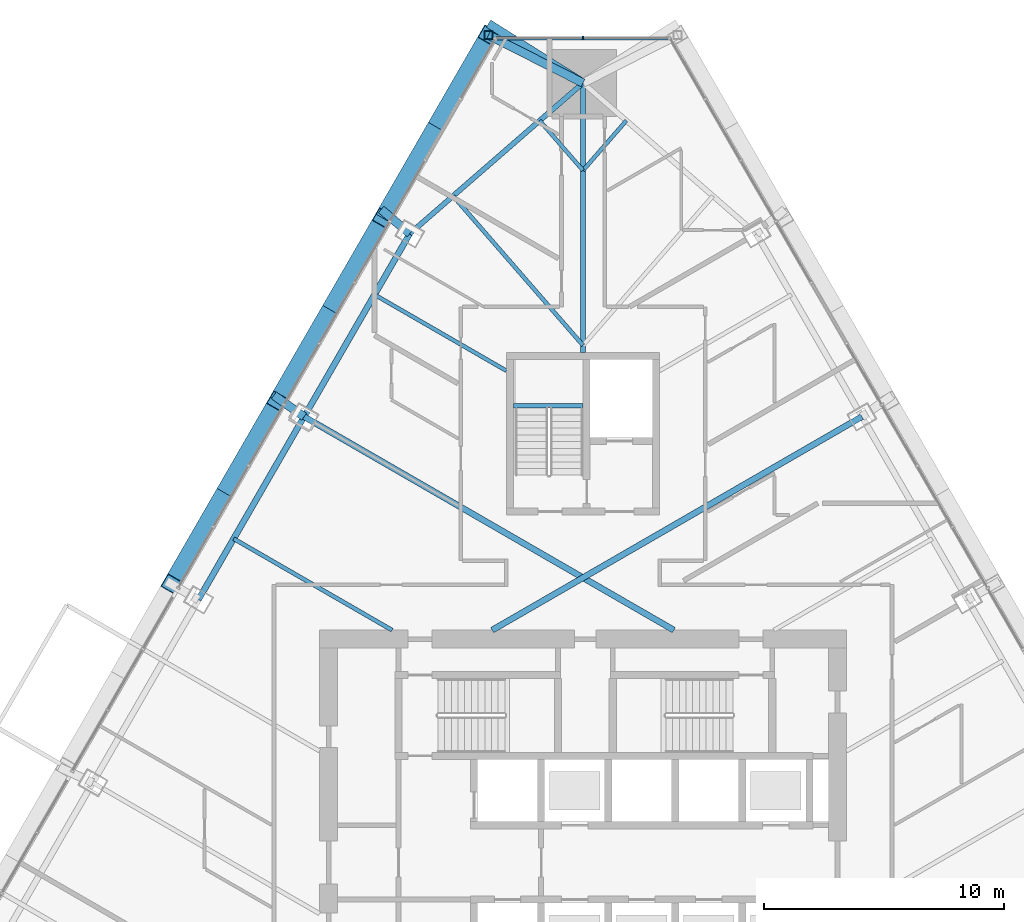
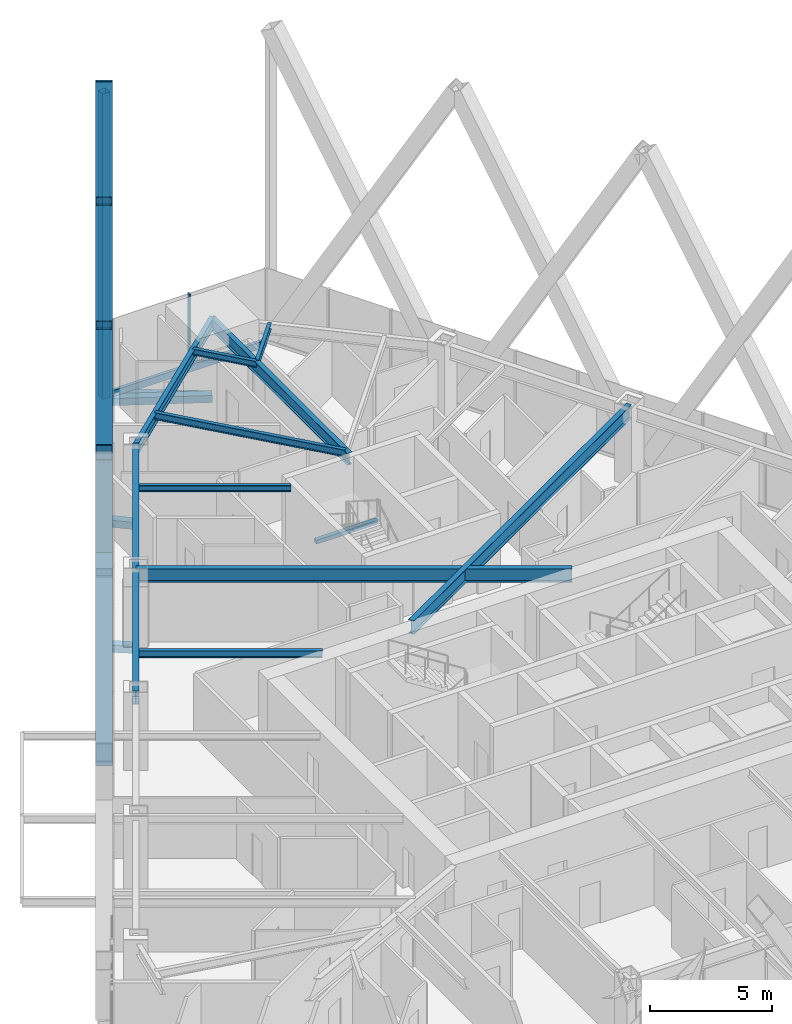
# One storey, part 8 of 19: 13 members, 11 beams, 1 element without a shape of its own.
"""IFC4 building model written with IfcOpenShell, lengths in metres."""

import ifcopenshell
import ifcopenshell.guid

model = None  # the IFC model being written
_history = None  # IfcOwnerHistory: only IFC2X3 demands one
_inside = {}  # id of a spatial element -> (the spatial element, [elements in it])
_under = {}  # id of a project, library or spatial element -> (it, [spatial elements below it])
_declared = {}  # id of a project -> (the project, [libraries it declares])
_typed = {}  # id of a type object -> (the type object, [elements of that type])
_made_of = {}  # id of a material, layer set ... -> (it, [elements and type objects made of it])


def new_model(schema):
    """Start an empty IFC model of exactly this schema.

    Asked for "IFC4X3", IfcOpenShell would pick the latest addendum, in which some entities
    have other attributes; the version numbers below select the first issue.
    IFC2X3 requires an IfcOwnerHistory on every rooted entity: one is made here for all.
    """
    global model, _history
    if schema == "IFC4X3":
        model = ifcopenshell.file(schema_version=(4, 3, 0, 0))
    else:
        model = ifcopenshell.file(schema=schema)
    _inside.clear()
    _under.clear()
    _declared.clear()
    _typed.clear()
    _made_of.clear()
    _history = None
    if model.schema == "IFC2X3":
        org = make("IfcOrganization", Name="unknown")
        user = make(
            "IfcPersonAndOrganization",
            ThePerson=make("IfcPerson", FamilyName="unknown"),
            TheOrganization=org,
        )
        app = make(
            "IfcApplication",
            ApplicationDeveloper=org,
            Version="unknown",
            ApplicationFullName="unknown",
            ApplicationIdentifier="unknown",
        )
        _history = make(
            "IfcOwnerHistory",
            OwningUser=user,
            OwningApplication=app,
            ChangeAction="ADDED",
            CreationDate=0,
        )
    return model


def make(cls, **values):
    """One entity of the class cls with the attributes given. An attribute that is None is left unset."""
    return model.create_entity(
        cls, **{name: value for name, value in values.items() if value is not None}
    )


def rooted(cls, **values):
    """An entity with a GlobalId (a new one), such as an element, a storey or a relation."""
    return make(cls, GlobalId=ifcopenshell.guid.new(), OwnerHistory=_history, **values)


def si_unit(unit_type, name, prefix=None):
    """IfcSIUnit, for example si_unit("LENGTHUNIT", "METRE", prefix="MILLI")."""
    return make("IfcSIUnit", UnitType=unit_type, Prefix=prefix, Name=name)


def assignment(units):
    """IfcUnitAssignment: the units of a project."""
    return None if units is None else make("IfcUnitAssignment", Units=units)


def point(xyz):
    """IfcCartesianPoint."""
    return None if xyz is None else make("IfcCartesianPoint", Coordinates=xyz)


def direction(xyz):
    """IfcDirection."""
    return None if xyz is None else make("IfcDirection", DirectionRatios=xyz)


def frame(location, z_axis=None, x_axis=None):
    """IfcAxis2Placement3D, a coordinate frame: its origin and axes. An axis left out is left unset."""
    return make(
        "IfcAxis2Placement3D",
        Location=point(location),
        Axis=direction(z_axis),
        RefDirection=direction(x_axis),
    )


def frame_2d(location, x_axis=None):
    """IfcAxis2Placement2D, a coordinate frame in the plane: its origin and x axis."""
    return make(
        "IfcAxis2Placement2D", Location=point(location), RefDirection=direction(x_axis)
    )


def origin():
    """The frame at (0, 0, 0) with its axes left unset."""
    return frame((0.0, 0.0, 0.0))


def origin_2d():
    """The frame at (0, 0) in the plane with its x axis left unset."""
    return frame_2d((0.0, 0.0))


def place(relative_to, where):
    """IfcLocalPlacement: puts the frame where relative to a parent placement (None: the world)."""
    return make(
        "IfcLocalPlacement", PlacementRelTo=relative_to, RelativePlacement=where
    )


def context(
    kind, dimensions, precision=None, world=None, true_north=None, identifier=None
):
    """IfcGeometricRepresentationContext, for example the 3D "Model" context."""
    return make(
        "IfcGeometricRepresentationContext",
        ContextIdentifier=identifier,
        ContextType=kind,
        CoordinateSpaceDimension=dimensions,
        Precision=precision,
        WorldCoordinateSystem=world,
        TrueNorth=true_north,
    )


def subcontext(parent, identifier, kind, view, scale=None):
    """IfcGeometricRepresentationSubContext, for example "Body" below "Model"."""
    return make(
        "IfcGeometricRepresentationSubContext",
        ContextIdentifier=identifier,
        ContextType=kind,
        ParentContext=parent,
        TargetScale=scale,
        TargetView=view,
    )


def project(units=None, contexts=None):
    """IfcProject with its units and contexts."""
    return rooted(
        "IfcProject",
        Name="project",
        RepresentationContexts=contexts,
        UnitsInContext=assignment(units),
    )


def spatial(cls, under=None, at=None, **own):
    """A site, building, storey or space (cls), placed at a placement, below another one or the project."""
    s = rooted(cls, ObjectPlacement=at, **own)
    if under is not None:
        _under.setdefault(under.id(), (under, []))[1].append(s)
    return s


def profile(cls, at=None, kind="AREA", **sizes):
    """A parametric profile (cls). Its sizes go by their IFC names, for example OverallWidth=200.0."""
    return make(cls, ProfileType=kind, Position=at, **sizes)


def rectangle(**sizes):
    """IfcRectangleProfileDef."""
    return profile("IfcRectangleProfileDef", **sizes)


def hollow_rectangle(**sizes):
    """IfcRectangleHollowProfileDef."""
    return profile("IfcRectangleHollowProfileDef", **sizes)


def i_section(**sizes):
    """IfcIShapeProfileDef."""
    return profile("IfcIShapeProfileDef", **sizes)


def extrude(swept, where, along, depth):
    """IfcExtrudedAreaSolid: the profile swept, set in the frame where, extruded along a direction by depth."""
    return make(
        "IfcExtrudedAreaSolid",
        SweptArea=swept,
        Position=where,
        ExtrudedDirection=direction(along),
        Depth=depth,
    )


def shape(context_of_items, identifier, shape_type, items):
    """IfcShapeRepresentation: the items that make up one representation, for example the "Body"."""
    return make(
        "IfcShapeRepresentation",
        ContextOfItems=context_of_items,
        RepresentationIdentifier=identifier,
        RepresentationType=shape_type,
        Items=items,
    )


def material(Name=None, Category=None):
    """IfcMaterial."""
    return make("IfcMaterial", Name=Name, Category=Category)


def layer(
    of_material, thickness, ventilated=None, Name=None, Category=None, Priority=None
):
    """IfcMaterialLayer: one layer of a wall or slab, of a material (None: an air gap)."""
    return make(
        "IfcMaterialLayer",
        Material=of_material,
        LayerThickness=thickness,
        IsVentilated=ventilated,
        Name=Name,
        Category=Category,
        Priority=Priority,
    )


def layer_set(layers, Name=None):
    """IfcMaterialLayerSet."""
    return make("IfcMaterialLayerSet", MaterialLayers=layers, LayerSetName=Name)


def material_profile(
    of_material, cross_section, Name=None, Category=None, Priority=None
):
    """IfcMaterialProfile: a cross section and its material."""
    return make(
        "IfcMaterialProfile",
        Name=Name,
        Material=of_material,
        Profile=cross_section,
        Priority=Priority,
        Category=Category,
    )


def profile_set(profiles, Name=None, composite=None):
    """IfcMaterialProfileSet."""
    return make(
        "IfcMaterialProfileSet",
        Name=Name,
        MaterialProfiles=profiles,
        CompositeProfile=composite,
    )


def made_of(thing, what):
    """Note that an element or type object is made of a material, layer set ...; save() writes the relation."""
    if what is not None:
        _made_of.setdefault(what.id(), (what, []))[1].append(thing)
    return thing


def type_object(cls, material=None, **own):
    """A type object (cls), such as IfcWallType, which elements share."""
    return made_of(rooted(cls, **own), material)


def element(
    cls,
    number,
    at=None,
    inside=None,
    cuts=None,
    type_object=None,
    material=None,
    context=None,
    identifier="Body",
    shape_type=None,
    held_by="IfcProductDefinitionShape",
    body=None,
    shapes=None,
    **own,
):
    """One element of the class cls, such as IfcWall. Its Tag is "e" and its number.

    at: its placement. inside: the storey or other place that contains it. cuts: it is an
    opening in that element (IfcRelVoidsElement). A single representation is given by context,
    identifier, shape_type and body (its items); several are given by shapes. held_by: the class
    of the entity that holds the representations. save() writes the other relations.
    """
    e = rooted(cls, Tag="e%d" % number, ObjectPlacement=at, **own)
    if body is not None:
        shapes = [shape(context, identifier, shape_type, body)]
    if shapes is not None:
        e.Representation = make(held_by, Representations=shapes)
    if inside is not None:
        _inside.setdefault(inside.id(), (inside, []))[1].append(e)
    if cuts is not None:
        rooted(
            "IfcRelVoidsElement", RelatingBuildingElement=cuts, RelatedOpeningElement=e
        )
    if type_object is not None:
        _typed.setdefault(type_object.id(), (type_object, []))[1].append(e)
    return made_of(e, material)


def aggregate(whole, parts):
    """IfcRelAggregates: a whole, such as a stair, and the parts it consists of."""
    return rooted("IfcRelAggregates", RelatingObject=whole, RelatedObjects=parts)


def save(model, path):
    """Write the relations noted so far, then the file.

    IfcRelAggregates (storeys below a building ...), IfcRelContainedInSpatialStructure (elements
    in a storey), IfcRelDefinesByType, IfcRelAssociatesMaterial and IfcRelDeclares: one each for
    every whole, place, type object, material and project.
    """
    for whole, parts in _under.values():
        aggregate(whole, parts)
    for where, things in _inside.values():
        rooted(
            "IfcRelContainedInSpatialStructure",
            RelatedElements=things,
            RelatingStructure=where,
        )
    for kind, things in _typed.values():
        rooted("IfcRelDefinesByType", RelatedObjects=things, RelatingType=kind)
    for what, things in _made_of.values():
        rooted("IfcRelAssociatesMaterial", RelatedObjects=things, RelatingMaterial=what)
    for by, libraries in _declared.values():
        rooted("IfcRelDeclares", RelatingContext=by, RelatedDefinitions=libraries)
    model.write(path)


model = new_model("IFC4")

# Units and contexts
model_context = context("Model", 3, precision=1e-05, world=origin(), true_north=direction((0.0, 1.0)))
body_context = subcontext(model_context, "Body", "Model", "MODEL_VIEW")
ifc_project = project(units=[si_unit("LENGTHUNIT", "METRE"), si_unit("AREAUNIT", "SQUARE_METRE"), si_unit("VOLUMEUNIT", "CUBIC_METRE"), si_unit("PLANEANGLEUNIT", "RADIAN"), si_unit("MASSUNIT", "GRAM", prefix="KILO")], contexts=[model_context])

# Site, building, storey
site_placement = place(None, origin())
site = spatial("IfcSite", under=ifc_project, at=site_placement, CompositionType="ELEMENT")
building_placement = place(site_placement, origin())
building = spatial("IfcBuilding", under=site, at=building_placement, Name="Firuza Gate Tower and Library", CompositionType="ELEMENT")
storey_placement = place(building_placement, frame((0.0, 0.0, 187.0)))
storey = spatial("IfcBuildingStorey", under=building, at=storey_placement, Name="L43", CompositionType="ELEMENT", Elevation=187.0)

# Members
ifc_material_1 = material(Name="Steel S355", Category="steel")
ifc_material_profile_1 = material_profile(ifc_material_1, hollow_rectangle(XDim=0.699951171875, YDim=0.699951171875, WallThickness=0.030029296875, at=origin_2d()))
ifc_profile_set_1 = profile_set([ifc_material_profile_1], Name="Steel S355")
member_type_1 = type_object("IfcMemberType", Name="BU700x700x30 Lattice brace", PredefinedType="BRACE", material=ifc_profile_set_1)
for number, where, z_axis, x_axis, name in (
    (1, (71.0537109375, 107.84521484375, 0.0), (-0.246174118604, -0.426363983638, 0.870409131837), (0.866014182773, -0.500019434859, 0.0), "Lattice brace W 10.1R"),
    (2, (66.6416015625, 100.20361328125, 0.0), (0.246174118604, 0.426363983638, 0.870409131837), (-0.866014182773, 0.500019434859, 0.0), "Lattice brace W 10.1L"),
):
    element("IfcMember", number, at=place(storey_placement, frame(where, z_axis=z_axis, x_axis=x_axis)), inside=storey, type_object=member_type_1, Name=name, PredefinedType="BRACE", context=body_context, shape_type="SweptSolid", body=[
        extrude(hollow_rectangle(XDim=0.699951171875, YDim=0.699951171875, WallThickness=0.030029296875, at=origin_2d()), origin(), (0.0, 0.0, 1.0), 17.922607421875),
    ])
for number, where, z_axis, x_axis, name in (
    (3, (66.6416015625, 100.20361328125, 0.0), (-0.246159892502, -0.426376558863, 0.870406995247), (0.866033080533, -0.499986703246, 0.0), "Lattice brace W 10.2R"),
    (4, (62.229736328125, 92.561767578125, 0.0), (0.246159892502, 0.426376558863, 0.870406995247), (-0.866033080533, 0.499986703246, 0.0), "Lattice brace W 10.2L"),
):
    element("IfcMember", number, at=place(storey_placement, frame(where, z_axis=z_axis, x_axis=x_axis)), inside=storey, type_object=member_type_1, Name=name, PredefinedType="BRACE", context=body_context, shape_type="SweptSolid", body=[
        extrude(hollow_rectangle(XDim=0.699951171875, YDim=0.699951171875, WallThickness=0.030029296875, at=origin_2d()), origin(), (0.0, 0.0, 1.0), 17.9228515625),
    ])
for number, where, z_axis, x_axis, name in (
    (5, (62.229736328125, 92.561767578125, 0.0), (-0.246161322195, -0.426365413352, 0.870412050556), (0.866026163676, -0.499998683827, 0.0), "Lattice brace W 10.3R"),
    (6, (57.81787109375, 84.920166015625, 0.0), (0.246161322195, 0.426365413352, 0.870412050556), (-0.866026163676, 0.499998683827, 0.0), "Lattice brace W 10.3L"),
):
    element("IfcMember", number, at=place(storey_placement, frame(where, z_axis=z_axis, x_axis=x_axis)), inside=storey, type_object=member_type_1, Name=name, PredefinedType="BRACE", context=body_context, shape_type="SweptSolid", body=[
        extrude(hollow_rectangle(XDim=0.699951171875, YDim=0.699951171875, WallThickness=0.030029296875, at=origin_2d()), origin(), (0.0, 0.0, 1.0), 17.922607421875),
    ])

# Curtain wall, members
ifc_material_2 = material(Name="Aluminium 6063-T6", Category="aluminium")
ifc_layer = layer(ifc_material_2, 0.14990234375)
ifc_layer_set = layer_set([ifc_layer], Name="Corner curtain wall, chamfers")
curtain_wall_type = type_object("IfcCurtainWallType", Name="Corner curtain wall, chamfers", PredefinedType="NOTDEFINED", material=ifc_layer_set)
curtain_wall_placement = place(storey_placement, origin())
curtain_wall = element("IfcCurtainWall", 7, at=curtain_wall_placement, inside=storey, type_object=curtain_wall_type, Name="CW4 L43 N corner", PredefinedType="NOTDEFINED")
ifc_material_3 = material(Name="Aluminium 6063-T6", Category="aluminium")
ifc_material_profile_2 = material_profile(ifc_material_3, rectangle(XDim=0.14990234375, YDim=0.080078125, at=origin_2d()))
ifc_profile_set_2 = profile_set([ifc_material_profile_2], Name="Aluminium 6063-T6")
member_type_2 = type_object("IfcMemberType", Name="Curtain wall mullion 80x150", PredefinedType="MULLION", material=ifc_profile_set_2)
member_1_placement = place(storey_placement, frame((75.0, 107.72021484375, 0.14990234375), z_axis=(0.0, 0.0, 1.0), x_axis=(0.0, -1.0, 0.0)))
member_1 = element("IfcMember", 8, at=member_1_placement, type_object=member_type_2, Name="Mullion", PredefinedType="MULLION", context=body_context, shape_type="SweptSolid", body=[
    extrude(rectangle(XDim=0.14990234375, YDim=0.080078125, at=origin_2d()), origin(), (0.0, 0.0, 1.0), 3.550048828125),
])
ifc_material_4 = material(Name="Aluminium 6063-T6", Category="aluminium")
ifc_material_profile_3 = material_profile(ifc_material_4, rectangle(XDim=0.14990234375, YDim=0.35009765625, at=origin_2d()))
ifc_profile_set_3 = profile_set([ifc_material_profile_3], Name="Aluminium 6063-T6")
member_type_3 = type_object("IfcMemberType", Name="Curtain wall transom 350x150", PredefinedType="USERDEFINED", material=ifc_profile_set_3)
member_2_placement = place(storey_placement, frame((78.643310546875, 107.72021484375, -0.02490234375), z_axis=(-1.0, 0.0, 0.0), x_axis=(0.0, -1.0, 0.0)))
member_2 = element("IfcMember", 9, at=member_2_placement, type_object=member_type_3, Name="Transom", ObjectType="TRANSOM", PredefinedType="USERDEFINED", context=body_context, shape_type="SweptSolid", body=[
    extrude(rectangle(XDim=0.14990234375, YDim=0.35009765625, at=origin_2d()), origin(), (0.0, 0.0, 1.0), 7.28662109375),
])
aggregate(curtain_wall, [member_1, member_2])

# Members
ifc_material_5 = material(Name="Steel S355", Category="steel")
ifc_material_profile_4 = material_profile(ifc_material_5, hollow_rectangle(XDim=0.355712890625, YDim=0.355712890625, WallThickness=0.014892578125, at=origin_2d()))
ifc_profile_set_4 = profile_set([ifc_material_profile_4], Name="Steel S355")
member_type_4 = type_object("IfcMemberType", Name="HSS356x356x16 Lattice corner stile", PredefinedType="BRACE", material=ifc_profile_set_4)
member_3_placement = place(storey_placement, frame((71.0537109375, 107.84521484375, -0.139892578125), z_axis=(0.0, 0.0, 1.0), x_axis=(1.0, 0.0, 0.0)))
element("IfcMember", 10, at=member_3_placement, inside=storey, type_object=member_type_4, Name="Lattice corner stile W 10.A", PredefinedType="BRACE", context=body_context, shape_type="SweptSolid", body=[
    extrude(hollow_rectangle(XDim=0.355712890625, YDim=0.355712890625, WallThickness=0.014892578125, at=origin_2d()), origin(), (0.0, 0.0, 1.0), 15.239990234375),
])
ifc_material_6 = material(Name="Steel S355", Category="steel")
ifc_material_profile_5 = material_profile(ifc_material_6, hollow_rectangle(XDim=0.355712890625, YDim=0.355712890625, WallThickness=0.014892578125, at=origin_2d()))
ifc_profile_set_5 = profile_set([ifc_material_profile_5], Name="Steel S355")
member_type_5 = type_object("IfcMemberType", Name="HSS356x356x16 Lattice node tie", PredefinedType="BRACE", material=ifc_profile_set_5)
member_4_placement = place(storey_placement, frame((63.35546875, 91.911865234375, -0.320068359375), z_axis=(-0.817886273366, 0.575379912613, 0.0), x_axis=(-0.575379912613, -0.817886273366, 0.0)))
element("IfcMember", 11, at=member_4_placement, inside=storey, type_object=member_type_5, Name="Lattice node tie W L43 225", PredefinedType="BRACE", context=body_context, shape_type="SweptSolid", body=[
    extrude(hollow_rectangle(XDim=0.355712890625, YDim=0.355712890625, WallThickness=0.014892578125, at=origin_2d()), origin(), (0.0, 0.0, 1.0), 1.54541015625),
])
member_5_placement = place(storey_placement, frame((67.767578125, 99.553466796875, -0.320068359375), z_axis=(-0.764149605145, 0.645039053822, 0.0), x_axis=(-0.645039053822, -0.764149605145, 0.0)))
element("IfcMember", 12, at=member_5_placement, inside=storey, type_object=member_type_5, Name="Lattice node tie W L43 226", PredefinedType="BRACE", context=body_context, shape_type="SweptSolid", body=[
    extrude(hollow_rectangle(XDim=0.355712890625, YDim=0.355712890625, WallThickness=0.014892578125, at=origin_2d()), origin(), (0.0, 0.0, 1.0), 1.56396484375),
])
member_6_placement = place(storey_placement, frame((75.0, 105.84521484375, -0.320068359375), z_axis=(-0.846854320975, 0.531824932704, 0.0), x_axis=(-0.531824932704, -0.846854320975, 0.0)))
element("IfcMember", 13, at=member_6_placement, inside=storey, type_object=member_type_5, Name="Lattice node tie W L43 227", PredefinedType="BRACE", context=body_context, shape_type="SweptSolid", body=[
    extrude(hollow_rectangle(XDim=0.355712890625, YDim=0.355712890625, WallThickness=0.014892578125, at=origin_2d()), origin(), (0.0, 0.0, 1.0), 4.659912109375),
])
member_7_placement = place(storey_placement, frame((75.0, 105.84521484375, -0.320068359375), z_axis=(-0.891985934506, 0.452063151168, 0.0), x_axis=(-0.452063151168, -0.891985934506, 0.0)))
element("IfcMember", 14, at=member_7_placement, inside=storey, type_object=member_type_5, Name="Lattice node tie W L43 228", PredefinedType="BRACE", context=body_context, shape_type="SweptSolid", body=[
    extrude(hollow_rectangle(XDim=0.355712890625, YDim=0.355712890625, WallThickness=0.014892578125, at=origin_2d()), origin(), (0.0, 0.0, 1.0), 4.424072265625),
])

# Beams
ifc_material_7 = material(Name="Concrete C35/45", Category="concrete")
ifc_material_profile_6 = material_profile(ifc_material_7, rectangle(XDim=0.199951171875, YDim=0.199951171875, at=origin_2d()))
ifc_profile_set_6 = profile_set([ifc_material_profile_6], Name="Concrete C35/45")
beam_type_1 = type_object("IfcBeamType", Name="Stair landing bearer 200x200", PredefinedType="BEAM", material=ifc_profile_set_6)
beam_1_placement = place(storey_placement, frame((75.0, 92.3701171875, 1.64990234375), z_axis=(-1.0, 0.0, 0.0), x_axis=(0.0, -1.0, 0.0)))
element("IfcBeam", 15, at=beam_1_placement, inside=storey, type_object=beam_type_1, Name="Landing bearer L43 stair 3", PredefinedType="BEAM", context=body_context, shape_type="SweptSolid", body=[
    extrude(rectangle(XDim=0.199951171875, YDim=0.199951171875, at=origin_2d()), origin(), (0.0, 0.0, 1.0), 2.89990234375),
])
ifc_material_8 = material(Name="Steel S355", Category="steel")
ifc_material_profile_7 = material_profile(ifc_material_8, i_section(OverallWidth=0.1650390625, OverallDepth=0.31005859375, WebThickness=0.005859375, FlangeThickness=0.009765625, at=origin_2d()))
ifc_profile_set_7 = profile_set([ifc_material_profile_7], Name="Steel S355")
beam_type_2 = type_object("IfcBeamType", Name="W310x39 Floor beam", PredefinedType="JOIST", material=ifc_profile_set_7)
for number, where, z_axis, x_axis, name in (
    (16, (76.80810546875, 104.272216796875, 3.544921875), (-0.656349840757, -0.754456683009, 0.0), (0.754456683009, -0.656349840757, 0.0), "Floor beam L43 s61"),
    (17, (73.19189453125, 104.272216796875, 3.544921875), (0.656349840757, -0.754456683009, 0.0), (0.754456683009, 0.656349840757, 0.0), "Floor beam L43 s70"),
):
    element("IfcBeam", number, at=place(storey_placement, frame(where, z_axis=z_axis, x_axis=x_axis)), inside=storey, type_object=beam_type_2, Name=name, PredefinedType="JOIST", context=body_context, shape_type="SweptSolid", body=[
        extrude(i_section(OverallWidth=0.1650390625, OverallDepth=0.31005859375, WebThickness=0.005859375, FlangeThickness=0.009765625, at=origin_2d()), origin(), (0.0, 0.0, 1.0), 2.7548828125),
    ])
beam_2_placement = place(storey_placement, frame((66.296875, 97.00634765625, 3.544921875), z_axis=(0.866026275825, -0.499998489578, 0.0), x_axis=(0.499998489578, 0.866026275825, 0.0)))
element("IfcBeam", 18, at=beam_2_placement, inside=storey, type_object=beam_type_2, Name="Floor beam L43 s80", PredefinedType="JOIST", context=body_context, shape_type="SweptSolid", body=[
    extrude(i_section(OverallWidth=0.1650390625, OverallDepth=0.31005859375, WebThickness=0.005859375, FlangeThickness=0.009765625, at=origin_2d()), origin(), (0.0, 0.0, 1.0), 6.3544921875),
])
ifc_material_9 = material(Name="Steel S355", Category="steel")
ifc_material_profile_8 = material_profile(ifc_material_9, i_section(OverallWidth=0.1708984375, OverallDepth=0.35498046875, WebThickness=0.007080078125, FlangeThickness=0.01171875, at=origin_2d()))
ifc_profile_set_8 = profile_set([ifc_material_profile_8], Name="Steel S355")
beam_type_3 = type_object("IfcBeamType", Name="W360x51 Floor beam", PredefinedType="JOIST", material=ifc_profile_set_8)
beam_3_placement = place(storey_placement, frame((69.57568359375, 101.12646484375, 3.5224609375), z_axis=(0.656320584547, -0.754482133851, 0.0), x_axis=(0.754482133851, 0.656320584547, 0.0)))
element("IfcBeam", 19, at=beam_3_placement, inside=storey, type_object=beam_type_3, Name="Floor beam L43 s71", PredefinedType="JOIST", context=body_context, shape_type="SweptSolid", body=[
    extrude(i_section(OverallWidth=0.1708984375, OverallDepth=0.35498046875, WebThickness=0.007080078125, FlangeThickness=0.01171875, at=origin_2d()), origin(), (0.0, 0.0, 1.0), 8.2646484375),
])
beam_4_placement = place(storey_placement, frame((60.414306640625, 86.8173828125, 3.5224609375), z_axis=(0.866022634277, -0.500004796897, 0.0), x_axis=(0.500004796897, 0.866022634277, 0.0)))
element("IfcBeam", 20, at=beam_4_placement, inside=storey, type_object=beam_type_3, Name="Floor beam L43 s82", PredefinedType="JOIST", context=body_context, shape_type="SweptSolid", body=[
    extrude(i_section(OverallWidth=0.1708984375, OverallDepth=0.35498046875, WebThickness=0.007080078125, FlangeThickness=0.01171875, at=origin_2d()), origin(), (0.0, 0.0, 1.0), 7.634765625),
])
ifc_material_10 = material(Name="Steel S355", Category="steel")
ifc_material_profile_9 = material_profile(ifc_material_10, i_section(OverallWidth=0.212890625, OverallDepth=0.5390625, WebThickness=0.01171875, FlangeThickness=0.018798828125, at=origin_2d()))
ifc_profile_set_9 = profile_set([ifc_material_profile_9], Name="Steel S355")
beam_type_4 = type_object("IfcBeamType", Name="W530x109 Edge beam", PredefinedType="SPANDREL", material=ifc_profile_set_9)
beam_5_placement = place(storey_placement, frame((75.0, 105.84521484375, 3.430419921875), z_axis=(-0.754466787809, -0.656338225379, 0.0), x_axis=(0.656338225379, -0.754466787809, 0.0)))
element("IfcBeam", 21, at=beam_5_placement, inside=storey, type_object=beam_type_4, Name="Edge beam L43 e70", PredefinedType="SPANDREL", context=body_context, shape_type="SweptSolid", body=[
    extrude(i_section(OverallWidth=0.212890625, OverallDepth=0.5390625, WebThickness=0.01171875, FlangeThickness=0.018798828125, at=origin_2d()), origin(), (0.0, 0.0, 1.0), 9.586181640625),
])
ifc_material_11 = material(Name="Steel S355", Category="steel")
ifc_material_profile_10 = material_profile(ifc_material_11, i_section(OverallWidth=0.22802734375, OverallDepth=0.60302734375, WebThickness=0.010498046875, FlangeThickness=0.014892578125, at=origin_2d()))
ifc_profile_set_10 = profile_set([ifc_material_profile_10], Name="Steel S355")
beam_type_5 = type_object("IfcBeamType", Name="W610x101 Girder", PredefinedType="BEAM", material=ifc_profile_set_10)
beam_6_placement = place(storey_placement, frame((75.0, 105.84521484375, 3.3984375), z_axis=(0.0, -1.0, 0.0), x_axis=(1.0, 0.0, 0.0)))
element("IfcBeam", 22, at=beam_6_placement, inside=storey, type_object=beam_type_5, Name="Girder L43 gN", PredefinedType="BEAM", context=body_context, shape_type="SweptSolid", body=[
    extrude(i_section(OverallWidth=0.22802734375, OverallDepth=0.60302734375, WebThickness=0.010498046875, FlangeThickness=0.014892578125, at=origin_2d()), origin(), (0.0, 0.0, 1.0), 11.2451171875),
])
ifc_material_12 = material(Name="Steel S355", Category="steel")
ifc_material_profile_11 = material_profile(ifc_material_12, i_section(OverallWidth=0.2529296875, OverallDepth=0.677978515625, WebThickness=0.01171875, FlangeThickness=0.016357421875, at=origin_2d()))
ifc_profile_set_11 = profile_set([ifc_material_profile_11], Name="Steel S355")
beam_type_6 = type_object("IfcBeamType", Name="W690x125 Edge beam", PredefinedType="SPANDREL", material=ifc_profile_set_11)
beam_7_placement = place(storey_placement, frame((67.767578125, 99.553466796875, 3.361083984375), z_axis=(-0.50000905945, -0.866020173245, 0.0), x_axis=(0.866020173245, -0.50000905945, 0.0)))
element("IfcBeam", 23, at=beam_7_placement, inside=storey, type_object=beam_type_6, Name="Edge beam L43 e80", PredefinedType="SPANDREL", context=body_context, shape_type="SweptSolid", body=[
    extrude(i_section(OverallWidth=0.2529296875, OverallDepth=0.677978515625, WebThickness=0.01171875, FlangeThickness=0.016357421875, at=origin_2d()), origin(), (0.0, 0.0, 1.0), 17.647705078125),
])
ifc_material_13 = material(Name="Steel S355", Category="steel")
ifc_material_profile_12 = material_profile(ifc_material_13, i_section(OverallWidth=0.2529296875, OverallDepth=0.677978515625, WebThickness=0.01171875, FlangeThickness=0.016357421875, at=origin_2d()))
ifc_profile_set_12 = profile_set([ifc_material_profile_12], Name="Steel S355")
beam_type_7 = type_object("IfcBeamType", Name="W690x125 Floor beam", PredefinedType="JOIST", material=ifc_profile_set_12)
for number, where, z_axis, x_axis, name in (
    (24, (86.64453125, 91.911865234375, 3.361083984375), (-0.866025230413, -0.500000300289, 0.0), (0.500000300289, -0.866025230413, 0.0), "Floor beam L43 s54"),
    (25, (63.35546875, 91.911865234375, 3.361083984375), (0.866025230413, -0.500000300289, 0.0), (0.500000300289, 0.866025230413, 0.0), "Floor beam L43 s81"),
):
    element("IfcBeam", number, at=place(storey_placement, frame(where, z_axis=z_axis, x_axis=x_axis)), inside=storey, type_object=beam_type_7, Name=name, PredefinedType="JOIST", context=body_context, shape_type="SweptSolid", body=[
        extrude(i_section(OverallWidth=0.2529296875, OverallDepth=0.677978515625, WebThickness=0.01171875, FlangeThickness=0.016357421875, at=origin_2d()), origin(), (0.0, 0.0, 1.0), 17.82373046875),
    ])

save(model, "model.ifc")
